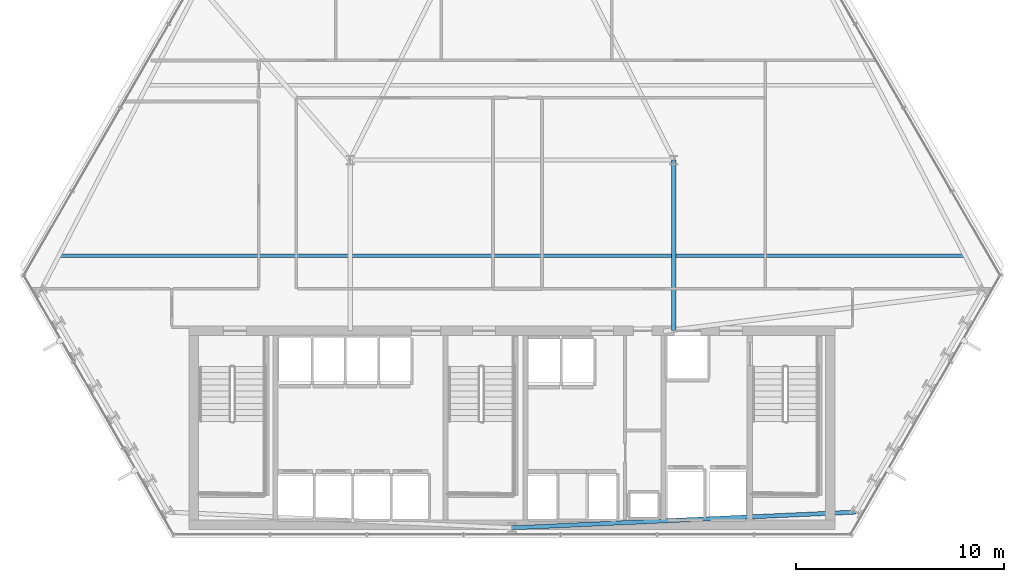
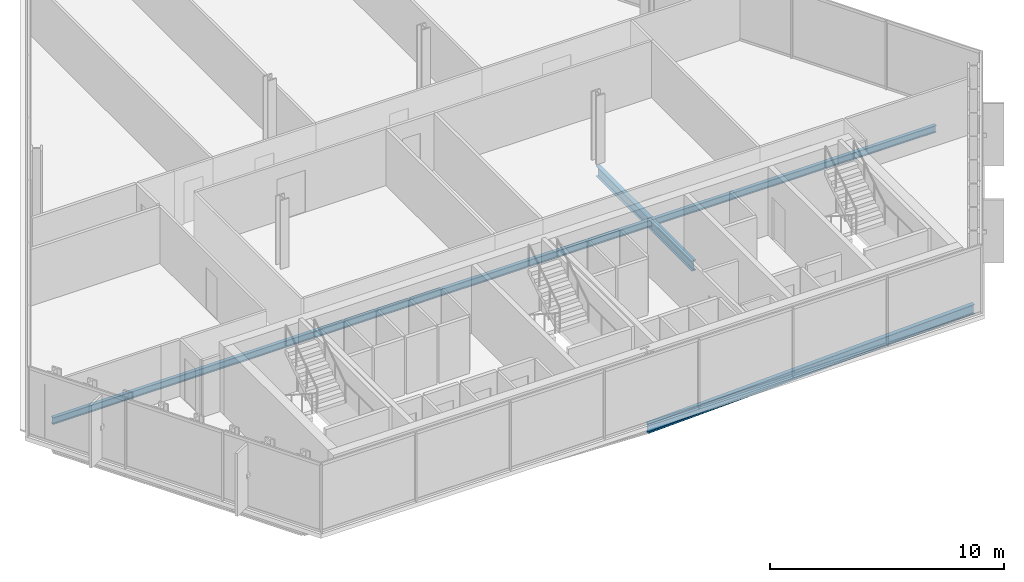
# One storey, part 10 of 33: 3 beams.
"""IFC4 building model written with IfcOpenShell, lengths in metres."""

from ifc_helpers import new_model, si_unit, direction, frame, origin, origin_2d, place, context, subcontext, project, spatial, i_section, extrude, material, material_profile, profile_set, type_object, element, save


model = new_model("IFC4")

# Units and contexts
model_context = context("Model", 3, precision=1e-05, world=origin(), true_north=direction((0.0, 1.0)))
body_context = subcontext(model_context, "Body", "Model", "MODEL_VIEW")
ifc_project = project(units=[si_unit("LENGTHUNIT", "METRE"), si_unit("AREAUNIT", "SQUARE_METRE"), si_unit("VOLUMEUNIT", "CUBIC_METRE"), si_unit("PLANEANGLEUNIT", "RADIAN"), si_unit("MASSUNIT", "GRAM", prefix="KILO")], contexts=[model_context])

# Site, building, storey
site_placement = place(None, origin())
site = spatial("IfcSite", under=ifc_project, at=site_placement, CompositionType="ELEMENT")
building_placement = place(site_placement, origin())
building = spatial("IfcBuilding", under=site, at=building_placement, Name="Ndaravel Arena Tower", CompositionType="ELEMENT")
storey_placement = place(building_placement, frame((0.0, 0.0, 81.60009765625)))
storey = spatial("IfcBuildingStorey", under=building, at=storey_placement, Name="L18", CompositionType="ELEMENT", Elevation=81.60009765625)

# Beams
ifc_material_1 = material(Name="Steel S355", Category="steel")
ifc_material_profile_1 = material_profile(ifc_material_1, i_section(OverallWidth=0.210693359375, OverallDepth=0.53955078125, WebThickness=0.01171875, FlangeThickness=0.018798828125, FilletRadius=0.0126953125, at=origin_2d()), Name="UB 533x210x109")
ifc_profile_set_1 = profile_set([ifc_material_profile_1], Name="Steel S355")
beam_type_1 = type_object("IfcBeamType", Name="BM-GIRD-UB533", PredefinedType="BEAM", material=ifc_profile_set_1)
beam_1_placement = place(storey_placement, frame((49.800048828125, 14.97998046875, -0.489990234375), z_axis=(0.0, 1.0, 0.0), x_axis=(-1.0, 0.0, 0.0)))
element("IfcBeam", 1, at=beam_1_placement, inside=storey, type_object=beam_type_1, Name="L18 Spine Link Girder SLG-02", PredefinedType="BEAM", context=body_context, shape_type="SweptSolid", body=[
    extrude(i_section(OverallWidth=0.210693359375, OverallDepth=0.53955078125, WebThickness=0.01171875, FlangeThickness=0.018798828125, FilletRadius=0.0126953125, at=origin_2d()), origin(), (0.0, 0.0, 1.0), 8.219970703125),
])
ifc_material_2 = material(Name="Steel S355", Category="steel")
ifc_material_profile_2 = material_profile(ifc_material_2, i_section(OverallWidth=0.169921875, OverallDepth=0.360107421875, WebThickness=0.008056640625, FlangeThickness=0.0126953125, FilletRadius=0.01806640625, at=origin_2d()), Name="IPE 360")
ifc_profile_set_2 = profile_set([ifc_material_profile_2], Name="Steel S355")
beam_type_2 = type_object("IfcBeamType", Name="BM-JOIST-IPE360", PredefinedType="JOIST", material=ifc_profile_set_2)
beam_2_placement = place(storey_placement, frame((20.176513671875, 18.60009765625, -0.400146484375), z_axis=(1.0, 0.0, 0.0), x_axis=(0.0, 1.0, 0.0)))
element("IfcBeam", 2, at=beam_2_placement, inside=storey, type_object=beam_type_2, Name="L18 Composite Floor Joist FJ-01", PredefinedType="JOIST", context=body_context, shape_type="SweptSolid", body=[
    extrude(i_section(OverallWidth=0.169921875, OverallDepth=0.360107421875, WebThickness=0.008056640625, FlangeThickness=0.0126953125, FilletRadius=0.01806640625, at=origin_2d()), origin(), (0.0, 0.0, 1.0), 43.64697265625),
])
ifc_material_3 = material(Name="Steel S355", Category="steel")
ifc_material_profile_3 = material_profile(ifc_material_3, i_section(OverallWidth=0.199951171875, OverallDepth=0.5, WebThickness=0.01025390625, FlangeThickness=0.01611328125, FilletRadius=0.02099609375, at=origin_2d()), Name="IPE 500")
ifc_profile_set_3 = profile_set([ifc_material_profile_3], Name="Steel S355")
beam_type_3 = type_object("IfcBeamType", Name="BM-SPAN-IPE500", PredefinedType="SPANDREL", material=ifc_profile_set_3)
beam_3_placement = place(storey_placement, frame((42.0, 5.47998046875, -0.47021484375), z_axis=(0.998947577789, 0.045866510986, 0.0), x_axis=(-0.045866510986, 0.998947577789, 0.0)))
element("IfcBeam", 3, at=beam_3_placement, inside=storey, type_object=beam_type_3, Name="L18 Perimeter Spandrel Beam SP-01", PredefinedType="SPANDREL", context=body_context, shape_type="SweptSolid", body=[
    extrude(i_section(OverallWidth=0.199951171875, OverallDepth=0.5, WebThickness=0.01025390625, FlangeThickness=0.01611328125, FilletRadius=0.02099609375, at=origin_2d()), origin(), (0.0, 0.0, 1.0), 16.58056640625),
])

save(model, "model.ifc")
